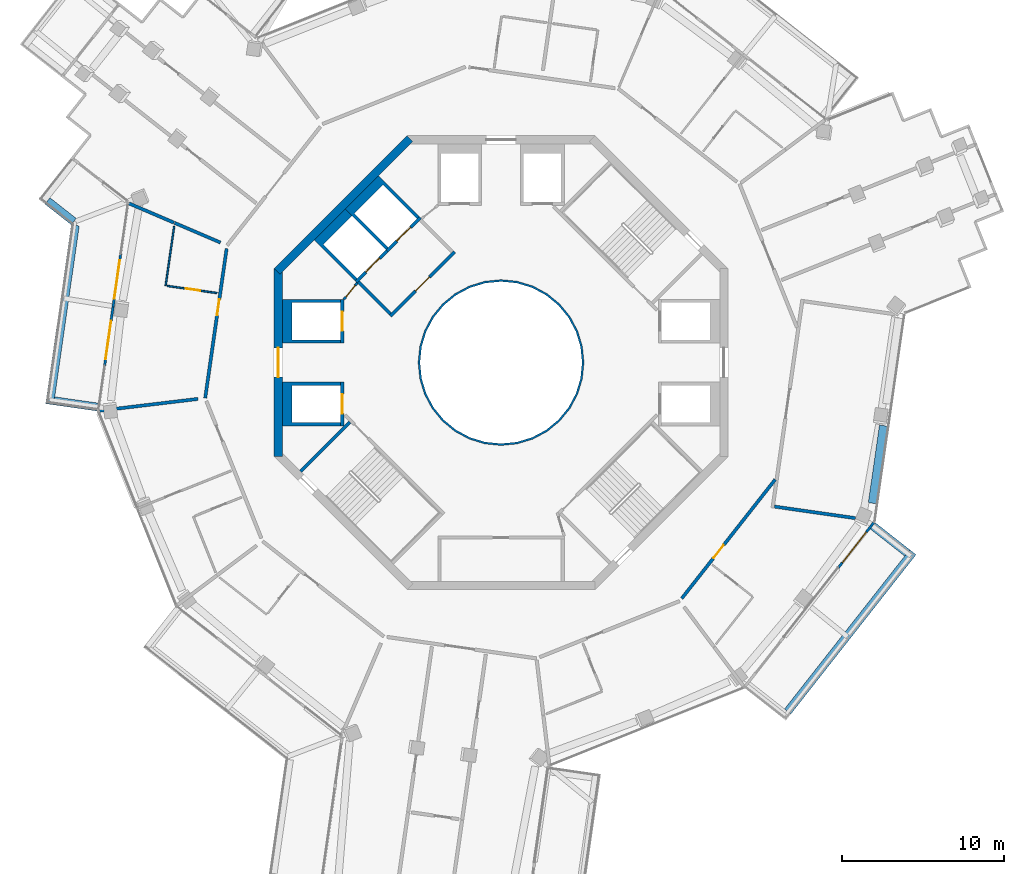
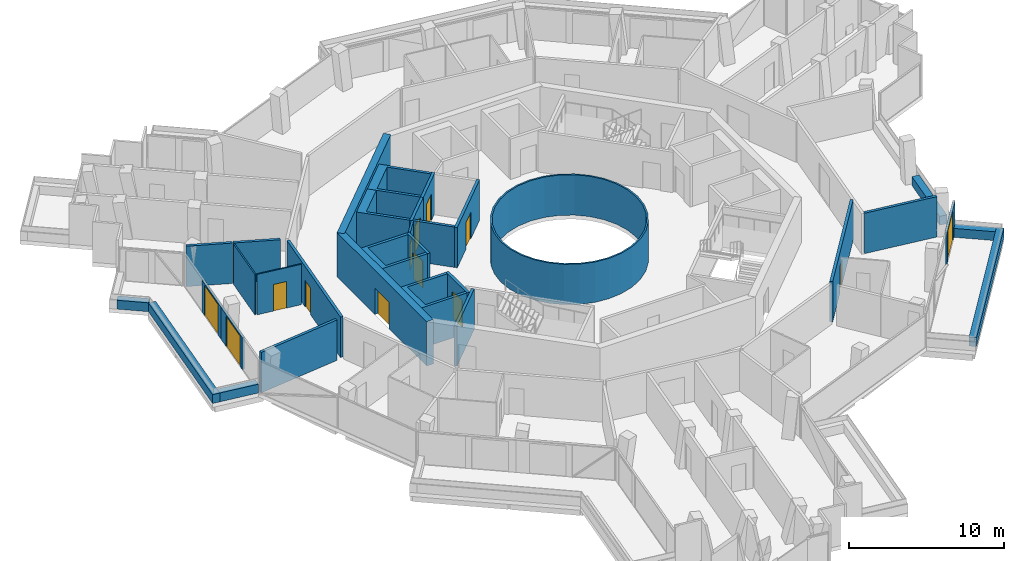
# One storey, part 17 of 23: 32 walls, 13 doors, 13 openings.
"""IFC4 building model written with IfcOpenShell, lengths in metres."""

from ifc_helpers import new_model, si_unit, direction, frame, frame_2d, origin, place, context, subcontext, project, spatial, polyline, rectangle, outline, extrude, material, layer, layer_set, type_object, element, fill, save


model = new_model("IFC4")

# Units and contexts
model_context = context("Model", 3, precision=1e-05, world=origin(), true_north=direction((0.0, 1.0)))
body_context = subcontext(model_context, "Body", "Model", "MODEL_VIEW")
ifc_project = project(units=[si_unit("LENGTHUNIT", "METRE"), si_unit("AREAUNIT", "SQUARE_METRE"), si_unit("VOLUMEUNIT", "CUBIC_METRE"), si_unit("PLANEANGLEUNIT", "RADIAN"), si_unit("MASSUNIT", "GRAM", prefix="KILO")], contexts=[model_context])

# Site, building, storey
site_placement = place(None, origin())
site = spatial("IfcSite", under=ifc_project, at=site_placement, CompositionType="ELEMENT")
building_placement = place(site_placement, origin())
building = spatial("IfcBuilding", under=site, at=building_placement, Name="Verdalira Terraces Hotel", CompositionType="ELEMENT")
storey_placement = place(building_placement, frame((0.0, 0.0, 244.5)))
storey = spatial("IfcBuildingStorey", under=building, at=storey_placement, Name="L60", CompositionType="ELEMENT", Elevation=244.5)

# Walls
ifc_material_1 = material(Name="Fire-resisting glass EI 180", Category="glass")
ifc_layer_1 = layer(ifc_material_1, 0.1201171875)
ifc_layer_set_1 = layer_set([ifc_layer_1], Name="Atrium fire screen 120 mm")
wall_type_1 = type_object("IfcWallType", Name="Atrium fire screen 120 mm", PredefinedType="SOLIDWALL", material=ifc_layer_set_1)
wall_1_placement = place(storey_placement, origin())
element("IfcWall", 1, at=wall_1_placement, inside=storey, type_object=wall_type_1, Name="Atrium fire screen", PredefinedType="SOLIDWALL", context=body_context, shape_type="SweptSolid", body=[
    extrude(outline(polyline([(5.021484, -0.998779), (4.730225, -1.959229), (4.25708, -2.844482), (3.620361, -3.620361), (2.844482, -4.25708), (1.959229, -4.730225), (0.998779, -5.021484), (0.0, -5.120117), (-0.998779, -5.021484), (-1.959229, -4.730225), (-2.844482, -4.25708), (-3.620361, -3.620361), (-4.25708, -2.844482), (-4.730225, -1.959229), (-5.021484, -0.998779), (-5.120117, 0.0), (-5.021484, 0.998779), (-4.730225, 1.959229), (-4.25708, 2.844482), (-3.620361, 3.620361), (-2.844482, 4.25708), (-1.959229, 4.730225), (-0.998779, 5.021484), (0.0, 5.120117), (0.998779, 5.021484), (1.959229, 4.730225), (2.844482, 4.25708), (3.620361, 3.620361), (4.25708, 2.844482), (4.730225, 1.959229), (5.021484, 0.998779), (5.120117, 0.0), (5.021484, -0.998779)]), holes=[polyline([(4.903809, 0.975586), (4.619385, 1.91333), (4.157227, 2.777832), (3.5354, 3.5354), (2.777832, 4.157227), (1.91333, 4.619385), (0.975586, 4.903809), (0.0, 5.0), (-0.975586, 4.903809), (-1.91333, 4.619385), (-2.777832, 4.157227), (-3.5354, 3.5354), (-4.157227, 2.777832), (-4.619385, 1.91333), (-4.903809, 0.975586), (-5.0, 0.0), (-4.903809, -0.975586), (-4.619385, -1.91333), (-4.157227, -2.777832), (-3.5354, -3.5354), (-2.777832, -4.157227), (-1.91333, -4.619385), (-0.975586, -4.903809), (0.0, -5.0), (0.975586, -4.903809), (1.91333, -4.619385), (2.777832, -4.157227), (3.5354, -3.5354), (4.157227, -2.777832), (4.619385, -1.91333), (4.903809, -0.975586), (5.0, 0.0), (4.903809, 0.975586)])]), origin(), (0.0, 0.0, 1.0), 3.189941),
])
ifc_material_2 = material(Name="Concrete C40", Category="concrete")
ifc_layer_2 = layer(ifc_material_2, 0.5)
ifc_layer_set_2 = layer_set([ifc_layer_2], Name="Balcony planter trough with tree")
wall_type_2 = type_object("IfcWallType", Name="Balcony planter trough with tree", PredefinedType="SOLIDWALL", material=ifc_layer_set_2)
wall_2_placement = place(storey_placement, frame((-27.987793, 9.974121, 0.0), z_axis=(0.0, 0.0, 1.0), x_axis=(0.786264959, -0.617889483, 0.0)))
element("IfcWall", 2, at=wall_2_placement, inside=storey, type_object=wall_type_2, Name="Balcony planter", PredefinedType="SOLIDWALL", context=body_context, shape_type="SweptSolid", body=[
    extrude(rectangle(XDim=2.063232, YDim=0.5, at=frame_2d((1.031738, 0.0))), origin(), (0.0, 0.0, 1.0), 0.699951),
])
wall_3_placement = place(storey_placement, frame((-26.272461, 8.467285, 0.0), z_axis=(0.0, 0.0, 1.0), x_axis=(-0.141942346, -0.989874927, 0.0)))
element("IfcWall", 3, at=wall_3_placement, inside=storey, type_object=wall_type_2, Name="Balcony planter", PredefinedType="SOLIDWALL", context=body_context, shape_type="SweptSolid", body=[
    extrude(rectangle(XDim=11.152588, YDim=0.5, at=frame_2d((5.576172, 0.0))), origin(), (0.0, 0.0, 1.0), 0.699951),
])
wall_4_placement = place(storey_placement, frame((-27.57251, -2.360352, 0.0), z_axis=(0.0, 0.0, 1.0), x_axis=(0.989876998, -0.1419279, 0.0)))
element("IfcWall", 4, at=wall_4_placement, inside=storey, type_object=wall_type_2, Name="Balcony planter", PredefinedType="SOLIDWALL", context=body_context, shape_type="SweptSolid", body=[
    extrude(rectangle(XDim=2.698975, YDim=0.5, at=frame_2d((1.349609, 0.0))), origin(), (0.0, 0.0, 1.0), 0.699951),
])
wall_5_placement = place(storey_placement, frame((17.686523, -21.528564, 0.0), z_axis=(0.0, 0.0, 1.0), x_axis=(0.61785433, 0.786292584, 0.0)))
element("IfcWall", 5, at=wall_5_placement, inside=storey, type_object=wall_type_2, Name="Balcony planter", PredefinedType="SOLIDWALL", context=body_context, shape_type="SweptSolid", body=[
    extrude(rectangle(XDim=12.5, YDim=0.5, at=frame_2d((6.25, 0.0))), origin(), (0.0, 0.0, 1.0), 0.699951),
])
wall_6_placement = place(storey_placement, frame((25.058594, -11.742188, 0.0), z_axis=(0.0, 0.0, 1.0), x_axis=(-0.786249279, 0.617909437, 0.0)))
element("IfcWall", 6, at=wall_6_placement, inside=storey, type_object=wall_type_2, Name="Balcony planter", PredefinedType="SOLIDWALL", context=body_context, shape_type="SweptSolid", body=[
    extrude(rectangle(XDim=2.698975, YDim=0.5, at=frame_2d((1.349609, 0.0))), origin(), (0.0, 0.0, 1.0), 0.699951),
])
ifc_material_3 = material(Name="Moisture-resistant gypsum board partition")
ifc_layer_3 = layer(ifc_material_3, 0.10009765625)
ifc_layer_set_3 = layer_set([ifc_layer_3], Name="Bathroom partition 100 mm")
wall_type_3 = type_object("IfcWallType", Name="Bathroom partition 100 mm", PredefinedType="PARTITIONING", material=ifc_layer_set_3)
wall_7_placement = place(storey_placement, frame((-20.69458, 4.743652, 0.0), z_axis=(0.0, 0.0, 1.0), x_axis=(0.141974997, 0.989870244, 0.0)))
element("IfcWall", 7, at=wall_7_placement, inside=storey, type_object=wall_type_3, Name="Bathroom partition", PredefinedType="PARTITIONING", context=body_context, shape_type="SweptSolid", body=[
    extrude(rectangle(XDim=3.704102, YDim=0.100098, at=frame_2d((1.852051, 0.0))), origin(), (0.0, 0.0, 1.0), 3.189941),
])

# Wall, opening, door
wall_8_placement = place(storey_placement, frame((-20.595703, 4.729492, 0.0), z_axis=(0.0, 0.0, 1.0), x_axis=(0.989880075, -0.141906436, 0.0)))
wall_8 = element("IfcWall", 8, at=wall_8_placement, inside=storey, type_object=wall_type_3, Name="Bathroom partition", PredefinedType="PARTITIONING", context=body_context, shape_type="SweptSolid", body=[
    extrude(rectangle(XDim=3.100342, YDim=0.100098, at=frame_2d((1.550293, 0.0))), origin(), (0.0, 0.0, 1.0), 3.189941),
])
opening_1_placement = place(wall_8_placement, frame((1.149902, 0.0, 0.0)))
opening_1 = element("IfcOpeningElement", 9, at=opening_1_placement, cuts=wall_8, Name="Opening L60-105", PredefinedType="OPENING", context=body_context, shape_type="SweptSolid", body=[
    extrude(rectangle(XDim=0.899902, YDim=2.100098, at=frame_2d((0.449951, 1.050049))), frame((0.0, 0.060059, 0.0), z_axis=(0.0, -1.0, 0.0), x_axis=(1.0, 0.0, 0.0)), (0.0, 0.0, 1.0), 0.120117),
])
ifc_material_4 = material(Name="Timber door", Category="wood")
door_type_1 = type_object("IfcDoorType", Name="Bathroom door 900 x 2100", OperationType="NOTDEFINED", PredefinedType="DOOR", material=ifc_material_4)
door_1_placement = place(opening_1_placement, origin())
door_1 = element("IfcDoor", 10, at=door_1_placement, inside=storey, type_object=door_type_1, Name="Bathroom door 6002", OperationType="SINGLE_SWING_LEFT", OverallHeight=2.10009765625, OverallWidth=0.89990234375, PredefinedType="DOOR", context=body_context, shape_type="SweptSolid", body=[
    extrude(rectangle(XDim=0.899902, YDim=2.100098, at=frame_2d((0.449951, 1.050049))), frame((0.0, 0.024902, 0.0), z_axis=(0.0, -1.0, 0.0), x_axis=(1.0, 0.0, 0.0)), (0.0, 0.0, 1.0), 0.050049),
])
fill(opening_1, door_1)

# Wall
ifc_material_5 = material(Name="Concrete C50", Category="concrete")
ifc_layer_4 = layer(ifc_material_5, 0.199951171875)
ifc_layer_set_4 = layer_set([ifc_layer_4], Name="Core RC wall 200 C50")
wall_type_4 = type_object("IfcWallType", Name="Core RC wall 200 C50", PredefinedType="SOLIDWALL", material=ifc_layer_set_4)
wall_9_placement = place(storey_placement, origin())
element("IfcWall", 11, at=wall_9_placement, inside=storey, type_object=wall_type_4, Name="L60 shaft wall W1", PredefinedType="SOLIDWALL", context=body_context, shape_type="SweptSolid", body=[
    extrude(outline(polyline([(-13.5, 3.899902), (-9.899902, 3.899902), (-9.899902, 3.699951), (-12.899902, 3.699951), (-12.899902, 1.399902), (-9.899902, 1.399902), (-9.899902, 1.199951), (-13.5, 1.199951), (-13.5, 3.899902)])), origin(), (0.0, 0.0, 1.0), 3.189941),
])

# Wall, opening, door
wall_10_placement = place(storey_placement, frame((-9.800049, 1.199951, 0.0), z_axis=(0.0, 0.0, 1.0), x_axis=(0.0, 1.0, 0.0)))
wall_10 = element("IfcWall", 12, at=wall_10_placement, inside=storey, type_object=wall_type_4, Name="L60 shaft front wall W1", PredefinedType="SOLIDWALL", context=body_context, shape_type="SweptSolid", body=[
    extrude(rectangle(XDim=2.699951, YDim=0.199951, at=frame_2d((1.350098, 0.0))), origin(), (0.0, 0.0, 1.0), 3.189941),
])
opening_2_placement = place(wall_10_placement, frame((0.75, 0.0, 0.0)))
opening_2 = element("IfcOpeningElement", 13, at=opening_2_placement, cuts=wall_10, Name="Opening LD-L60-806", PredefinedType="OPENING", context=body_context, shape_type="SweptSolid", body=[
    extrude(rectangle(XDim=1.199951, YDim=2.100098, at=frame_2d((0.600098, 1.050049))), frame((0.0, 0.109863, 0.0), z_axis=(0.0, -1.0, 0.0), x_axis=(1.0, 0.0, 0.0)), (0.0, 0.0, 1.0), 0.219971),
])
ifc_material_6 = material(Name="Stainless steel", Category="steel")
door_type_2 = type_object("IfcDoorType", Name="Landing door 1200 x 2100", OperationType="NOTDEFINED", PredefinedType="DOOR", material=ifc_material_6)
door_2_placement = place(opening_2_placement, origin())
door_2 = element("IfcDoor", 14, at=door_2_placement, inside=storey, type_object=door_type_2, Name="Lift landing door HR5 L60", OperationType="DOUBLE_DOOR_SLIDING", OverallHeight=2.10009765625, OverallWidth=1.199951171875, PredefinedType="DOOR", context=body_context, shape_type="SweptSolid", body=[
    extrude(rectangle(XDim=1.199951, YDim=2.100098, at=frame_2d((0.600098, 1.050049))), frame((0.0, 0.024902, 0.0), z_axis=(0.0, -1.0, 0.0), x_axis=(1.0, 0.0, 0.0)), (0.0, 0.0, 1.0), 0.050049),
])
fill(opening_2, door_2)

# Wall
wall_11_placement = place(storey_placement, origin())
element("IfcWall", 15, at=wall_11_placement, inside=storey, type_object=wall_type_4, Name="L60 shaft wall W2", PredefinedType="SOLIDWALL", context=body_context, shape_type="SweptSolid", body=[
    extrude(outline(polyline([(-13.5, -3.899902), (-13.5, -1.199951), (-9.899902, -1.199951), (-9.899902, -1.399902), (-12.899902, -1.399902), (-12.899902, -3.699951), (-9.899902, -3.699951), (-9.899902, -3.899902), (-13.5, -3.899902)])), origin(), (0.0, 0.0, 1.0), 3.189941),
])

# Wall, opening, door
wall_12_placement = place(storey_placement, frame((-9.800049, -1.199951, 0.0), z_axis=(0.0, 0.0, 1.0), x_axis=(0.0, -1.0, 0.0)))
wall_12 = element("IfcWall", 16, at=wall_12_placement, inside=storey, type_object=wall_type_4, Name="L60 shaft front wall W2", PredefinedType="SOLIDWALL", context=body_context, shape_type="SweptSolid", body=[
    extrude(rectangle(XDim=2.699951, YDim=0.199951, at=frame_2d((1.350098, 0.0))), origin(), (0.0, 0.0, 1.0), 3.189941),
])
opening_3_placement = place(wall_12_placement, frame((0.75, 0.0, 0.0)))
opening_3 = element("IfcOpeningElement", 17, at=opening_3_placement, cuts=wall_12, Name="Opening LD-L60-807", PredefinedType="OPENING", context=body_context, shape_type="SweptSolid", body=[
    extrude(rectangle(XDim=1.199951, YDim=2.100098, at=frame_2d((0.600098, 1.050049))), frame((0.0, 0.109863, 0.0), z_axis=(0.0, -1.0, 0.0), x_axis=(1.0, 0.0, 0.0)), (0.0, 0.0, 1.0), 0.219971),
])
door_3_placement = place(opening_3_placement, origin())
door_3 = element("IfcDoor", 18, at=door_3_placement, inside=storey, type_object=door_type_2, Name="Lift landing door HR6 L60", OperationType="DOUBLE_DOOR_SLIDING", OverallHeight=2.10009765625, OverallWidth=1.199951171875, PredefinedType="DOOR", context=body_context, shape_type="SweptSolid", body=[
    extrude(rectangle(XDim=1.199951, YDim=2.100098, at=frame_2d((0.600098, 1.050049))), frame((0.0, 0.024902, 0.0), z_axis=(0.0, -1.0, 0.0), x_axis=(1.0, 0.0, 0.0)), (0.0, 0.0, 1.0), 0.050049),
])
fill(opening_3, door_3)

# Wall
wall_13_placement = place(storey_placement, origin())
element("IfcWall", 19, at=wall_13_placement, inside=storey, type_object=wall_type_4, Name="L60 shaft wall F1", PredefinedType="SOLIDWALL", context=body_context, shape_type="SweptSolid", body=[
    extrude(outline(polyline([(-9.616699, 9.475098), (-7.565918, 11.525879), (-5.055908, 9.015625), (-5.197266, 8.874268), (-7.283203, 10.960205), (-9.051025, 9.192383), (-6.965088, 7.106445), (-7.106445, 6.965088), (-9.616699, 9.475098)])), origin(), (0.0, 0.0, 1.0), 3.189941),
])

# Wall, opening, door
wall_14_placement = place(storey_placement, frame((-4.985107, 8.944824, 0.0), z_axis=(0.0, 0.0, 1.0), x_axis=(-0.707106781, -0.707106781, 0.0)))
wall_14 = element("IfcWall", 20, at=wall_14_placement, inside=storey, type_object=wall_type_4, Name="L60 shaft front wall F1", PredefinedType="SOLIDWALL", context=body_context, shape_type="SweptSolid", body=[
    extrude(rectangle(XDim=2.899902, YDim=0.199951, at=frame_2d((1.449951, 0.0))), origin(), (0.0, 0.0, 1.0), 3.189941),
])
opening_4_placement = place(wall_14_placement, frame((0.850098, 0.0, 0.0)))
opening_4 = element("IfcOpeningElement", 21, at=opening_4_placement, cuts=wall_14, Name="Opening LD-L60-808", PredefinedType="OPENING", context=body_context, shape_type="SweptSolid", body=[
    extrude(rectangle(XDim=1.199951, YDim=2.100098, at=frame_2d((0.600098, 1.050049))), frame((0.0, 0.109863, 0.0), z_axis=(0.0, -1.0, 0.0), x_axis=(1.0, 0.0, 0.0)), (0.0, 0.0, 1.0), 0.219971),
])
door_4_placement = place(opening_4_placement, origin())
door_4 = element("IfcDoor", 22, at=door_4_placement, inside=storey, type_object=door_type_2, Name="Lift landing door LF11 L60", OperationType="DOUBLE_DOOR_SLIDING", OverallHeight=2.10009765625, OverallWidth=1.199951171875, PredefinedType="DOOR", context=body_context, shape_type="SweptSolid", body=[
    extrude(rectangle(XDim=1.199951, YDim=2.100098, at=frame_2d((0.600098, 1.050049))), frame((0.0, 0.024902, 0.0), z_axis=(0.0, -1.0, 0.0), x_axis=(1.0, 0.0, 0.0)), (0.0, 0.0, 1.0), 0.050049),
])
fill(opening_4, door_4)

# Wall
wall_15_placement = place(storey_placement, origin())
element("IfcWall", 23, at=wall_15_placement, inside=storey, type_object=wall_type_4, Name="L60 shaft wall F2", PredefinedType="SOLIDWALL", context=body_context, shape_type="SweptSolid", body=[
    extrude(outline(polyline([(-11.525879, 7.565918), (-9.616699, 9.475098), (-9.192383, 9.051025), (-10.960205, 7.283203), (-8.874268, 5.197266), (-9.015625, 5.055908), (-11.525879, 7.565918)])), origin(), (0.0, 0.0, 1.0), 3.189941),
])

# Wall, opening, door
wall_16_placement = place(storey_placement, frame((-7.035645, 6.894287, 0.0), z_axis=(0.0, 0.0, 1.0), x_axis=(-0.707106781, -0.707106781, 0.0)))
wall_16 = element("IfcWall", 24, at=wall_16_placement, inside=storey, type_object=wall_type_4, Name="L60 shaft front wall F2", PredefinedType="SOLIDWALL", context=body_context, shape_type="SweptSolid", body=[
    extrude(rectangle(XDim=2.699951, YDim=0.199951, at=frame_2d((1.350098, 0.0))), origin(), (0.0, 0.0, 1.0), 3.189941),
])
opening_5_placement = place(wall_16_placement, frame((0.649902, 0.0, 0.0)))
opening_5 = element("IfcOpeningElement", 25, at=opening_5_placement, cuts=wall_16, Name="Opening LD-L60-809", PredefinedType="OPENING", context=body_context, shape_type="SweptSolid", body=[
    extrude(rectangle(XDim=1.199951, YDim=2.100098, at=frame_2d((0.600098, 1.050049))), frame((0.0, 0.109863, 0.0), z_axis=(0.0, -1.0, 0.0), x_axis=(1.0, 0.0, 0.0)), (0.0, 0.0, 1.0), 0.219971),
])
door_5_placement = place(opening_5_placement, origin())
door_5 = element("IfcDoor", 26, at=door_5_placement, inside=storey, type_object=door_type_2, Name="Lift landing door LF12 L60", OperationType="DOUBLE_DOOR_SLIDING", OverallHeight=2.10009765625, OverallWidth=1.199951171875, PredefinedType="DOOR", context=body_context, shape_type="SweptSolid", body=[
    extrude(rectangle(XDim=1.199951, YDim=2.100098, at=frame_2d((0.600098, 1.050049))), frame((0.0, 0.024902, 0.0), z_axis=(0.0, -1.0, 0.0), x_axis=(1.0, 0.0, 0.0)), (0.0, 0.0, 1.0), 0.050049),
])
fill(opening_5, door_5)

# Wall
wall_17_placement = place(storey_placement, frame((-9.33374, -3.677002, 0.0), z_axis=(0.0, 0.0, 1.0), x_axis=(-0.707135168, -0.707078393, 0.0)))
element("IfcWall", 27, at=wall_17_placement, inside=storey, type_object=wall_type_4, Name="L60 stair ST2 end wall 1", PredefinedType="SOLIDWALL", context=body_context, shape_type="SweptSolid", body=[
    extrude(rectangle(XDim=4.300049, YDim=0.199951, at=frame_2d((2.149902, 0.0))), origin(), (0.0, 0.0, 1.0), 3.189941),
])

# Wall, opening, door
wall_18_placement = place(storey_placement, frame((-2.86377, 6.823486, 0.0), z_axis=(0.0, 0.0, 1.0), x_axis=(-0.707106781, -0.707106781, 0.0)))
wall_18 = element("IfcWall", 28, at=wall_18_placement, inside=storey, type_object=wall_type_4, Name="L60 fire lobby wall", PredefinedType="SOLIDWALL", context=body_context, shape_type="SweptSolid", body=[
    extrude(rectangle(XDim=5.599854, YDim=0.199951, at=frame_2d((2.799805, 0.0))), origin(), (0.0, 0.0, 1.0), 3.189941),
])
opening_6_placement = place(wall_18_placement, frame((2.199951, 0.0, 0.0)))
opening_6 = element("IfcOpeningElement", 29, at=opening_6_placement, cuts=wall_18, Name="Opening L60-819", PredefinedType="OPENING", context=body_context, shape_type="SweptSolid", body=[
    extrude(rectangle(XDim=1.199951, YDim=2.100098, at=frame_2d((0.600098, 1.050049))), frame((0.0, 0.109863, 0.0), z_axis=(0.0, -1.0, 0.0), x_axis=(1.0, 0.0, 0.0)), (0.0, 0.0, 1.0), 0.219971),
])
ifc_material_7 = material(Name="Steel fire door", Category="steel")
door_type_3 = type_object("IfcDoorType", Name="Lobby door 1200 x 2100", OperationType="NOTDEFINED", PredefinedType="DOOR", material=ifc_material_7)
door_6_placement = place(opening_6_placement, origin())
door_6 = element("IfcDoor", 30, at=door_6_placement, inside=storey, type_object=door_type_3, Name="Fire lobby door L60", OperationType="SINGLE_SWING_LEFT", OverallHeight=2.10009765625, OverallWidth=1.199951171875, PredefinedType="DOOR", context=body_context, shape_type="SweptSolid", body=[
    extrude(rectangle(XDim=1.199951, YDim=2.100098, at=frame_2d((0.600098, 1.050049))), frame((0.0, 0.024902, 0.0), z_axis=(0.0, -1.0, 0.0), x_axis=(1.0, 0.0, 0.0)), (0.0, 0.0, 1.0), 0.050049),
])
fill(opening_6, door_6)

# Wall
wall_19_placement = place(storey_placement, frame((-6.823486, 3.005127, 0.0), z_axis=(0.0, 0.0, 1.0), x_axis=(-0.707106781, 0.707106781, 0.0)))
element("IfcWall", 31, at=wall_19_placement, inside=storey, type_object=wall_type_4, Name="L60 fire lobby wall", PredefinedType="SOLIDWALL", context=body_context, shape_type="SweptSolid", body=[
    extrude(rectangle(XDim=2.800049, YDim=0.199951, at=frame_2d((1.399902, 0.0))), origin(), (0.0, 0.0, 1.0), 3.189941),
])

# Wall, opening, door
ifc_material_8 = material(Name="Gypsum board partition")
ifc_layer_5 = layer(ifc_material_8, 0.14990234375)
ifc_layer_set_5 = layer_set([ifc_layer_5], Name="Core partition 150 mm")
wall_type_5 = type_object("IfcWallType", Name="Core partition 150 mm", PredefinedType="PARTITIONING", material=ifc_layer_set_5)
wall_20_placement = place(storey_placement, frame((-8.874268, 4.914307, 0.0), z_axis=(0.0, 0.0, 1.0), x_axis=(-0.631274009, -0.775559878, 0.0)))
wall_20 = element("IfcWall", 32, at=wall_20_placement, inside=storey, type_object=wall_type_5, Name="Room partition L60", PredefinedType="PARTITIONING", context=body_context, shape_type="SweptSolid", body=[
    extrude(rectangle(XDim=1.307861, YDim=0.149902, at=frame_2d((0.653809, 0.0))), origin(), (0.0, 0.0, 1.0), 3.189941),
])
opening_7_placement = place(wall_20_placement, frame((0.204102, 0.0, 0.0)))
opening_7 = element("IfcOpeningElement", 33, at=opening_7_placement, cuts=wall_20, Name="Opening L60-821", PredefinedType="OPENING", context=body_context, shape_type="SweptSolid", body=[
    extrude(rectangle(XDim=0.899902, YDim=2.100098, at=frame_2d((0.449951, 1.050049))), frame((0.0, 0.084961, 0.0), z_axis=(0.0, -1.0, 0.0), x_axis=(1.0, 0.0, 0.0)), (0.0, 0.0, 1.0), 0.169922),
])
ifc_material_9 = material(Name="Steel fire door", Category="steel")
door_type_4 = type_object("IfcDoorType", Name="Core room door 900 x 2100", OperationType="NOTDEFINED", PredefinedType="DOOR", material=ifc_material_9)
door_7_placement = place(opening_7_placement, origin())
door_7 = element("IfcDoor", 34, at=door_7_placement, inside=storey, type_object=door_type_4, Name="Door L60 room3", OperationType="SINGLE_SWING_LEFT", OverallHeight=2.10009765625, OverallWidth=0.89990234375, PredefinedType="DOOR", context=body_context, shape_type="SweptSolid", body=[
    extrude(rectangle(XDim=0.899902, YDim=2.100098, at=frame_2d((0.449951, 1.050049))), frame((0.0, 0.024902, 0.0), z_axis=(0.0, -1.0, 0.0), x_axis=(1.0, 0.0, 0.0)), (0.0, 0.0, 1.0), 0.050049),
])
fill(opening_7, door_7)

# Wall
ifc_material_10 = material(Name="Concrete C50", Category="concrete")
ifc_layer_6 = layer(ifc_material_10, 0.5)
ifc_layer_set_6 = layer_set([ifc_layer_6], Name="Core wall 500 C50")
wall_type_6 = type_object("IfcWallType", Name="Core wall 500 C50", PredefinedType="SHEAR", material=ifc_layer_set_6)
wall_21_placement = place(storey_placement, frame((-5.622314, 13.823242, 0.0), z_axis=(0.0, 0.0, 1.0), x_axis=(-0.707106781, -0.707106781, 0.0)))
element("IfcWall", 35, at=wall_21_placement, inside=storey, type_object=wall_type_6, Name="Core wall CW-L60-4", PredefinedType="SHEAR", context=body_context, shape_type="SweptSolid", body=[
    extrude(rectangle(XDim=11.5979, YDim=0.5, at=frame_2d((5.798828, 0.0))), origin(), (0.0, 0.0, 1.0), 3.5),
])

# Wall, opening, door
wall_22_placement = place(storey_placement, frame((-13.75, 5.799072, 0.0), z_axis=(0.0, 0.0, 1.0), x_axis=(0.0, -1.0, 0.0)))
wall_22 = element("IfcWall", 36, at=wall_22_placement, inside=storey, type_object=wall_type_6, Name="Core wall CW-L60-5", PredefinedType="SHEAR", context=body_context, shape_type="SweptSolid", body=[
    extrude(rectangle(XDim=11.598145, YDim=0.5, at=frame_2d((5.799072, 0.0))), origin(), (0.0, 0.0, 1.0), 3.5),
])
opening_8_placement = place(wall_22_placement, frame((4.898926, 0.0, 0.0)))
opening_8 = element("IfcOpeningElement", 37, at=opening_8_placement, cuts=wall_22, Name="Opening L60-815", PredefinedType="OPENING", context=body_context, shape_type="SweptSolid", body=[
    extrude(rectangle(XDim=1.800049, YDim=2.100098, at=frame_2d((0.899902, 1.050049))), frame((0.0, 0.26001, 0.0), z_axis=(0.0, -1.0, 0.0), x_axis=(1.0, 0.0, 0.0)), (0.0, 0.0, 1.0), 0.52002),
])
ifc_material_11 = material(Name="Steel fire door", Category="steel")
door_type_5 = type_object("IfcDoorType", Name="Core entry door pair 1800 x 2100", OperationType="NOTDEFINED", PredefinedType="DOOR", material=ifc_material_11)
door_8_placement = place(opening_8_placement, origin())
door_8 = element("IfcDoor", 38, at=door_8_placement, inside=storey, type_object=door_type_5, Name="Core entry door L60 4", OperationType="DOUBLE_DOOR_SINGLE_SWING", OverallHeight=2.10009765625, OverallWidth=1.800048828125, PredefinedType="DOOR", context=body_context, shape_type="SweptSolid", body=[
    extrude(rectangle(XDim=1.800049, YDim=2.100098, at=frame_2d((0.899902, 1.050049))), frame((0.0, 0.024902, 0.0), z_axis=(0.0, -1.0, 0.0), x_axis=(1.0, 0.0, 0.0)), (0.0, 0.0, 1.0), 0.050049),
])
fill(opening_8, door_8)

# Walls
ifc_material_12 = material(Name="Fire-rated gypsum board wall")
ifc_layer_7 = layer(ifc_material_12, 0.199951171875)
ifc_layer_set_7 = layer_set([ifc_layer_7], Name="Demising wall 200 mm")
wall_type_7 = type_object("IfcWallType", Name="Demising wall 200 mm", PredefinedType="SOLIDWALL", material=ifc_layer_set_7)
wall_23_placement = place(storey_placement, frame((-18.697998, -2.24292, 0.0), z_axis=(0.0, 0.0, 1.0), x_axis=(-0.992884184, -0.119083992, 0.0)))
element("IfcWall", 39, at=wall_23_placement, inside=storey, type_object=wall_type_7, Name="Demising wall", PredefinedType="SOLIDWALL", context=body_context, shape_type="SweptSolid", body=[
    extrude(rectangle(XDim=6.13208, YDim=0.199951, at=frame_2d((3.065918, 0.0))), origin(), (0.0, 0.0, 1.0), 3.189941),
])
wall_24_placement = place(storey_placement, frame((-20.183594, 8.634033, 0.0), z_axis=(0.0, 0.0, 1.0), x_axis=(-0.919409021, 0.393302748, 0.0)))
element("IfcWall", 40, at=wall_24_placement, inside=storey, type_object=wall_type_7, Name="Demising wall", PredefinedType="SOLIDWALL", context=body_context, shape_type="SweptSolid", body=[
    extrude(rectangle(XDim=3.01123, YDim=0.199951, at=frame_2d((1.505615, 0.0))), origin(), (0.0, 0.0, 1.0), 3.189941),
])
wall_25_placement = place(storey_placement, frame((-17.314209, 7.406494, 0.0), z_axis=(0.0, 0.0, 1.0), x_axis=(-0.919399451, 0.393325119, 0.0)))
element("IfcWall", 41, at=wall_25_placement, inside=storey, type_object=wall_type_7, Name="Demising wall", PredefinedType="SOLIDWALL", context=body_context, shape_type="SweptSolid", body=[
    extrude(rectangle(XDim=3.074951, YDim=0.199951, at=frame_2d((1.537598, 0.0))), origin(), (0.0, 0.0, 1.0), 3.189941),
])

# Wall, opening, door
ifc_material_13 = material(Name="Fire-rated gypsum board wall")
ifc_layer_8 = layer(ifc_material_13, 0.199951171875)
ifc_layer_set_8 = layer_set([ifc_layer_8], Name="Guest corridor wall 200 mm")
wall_type_8 = type_object("IfcWallType", Name="Guest corridor wall 200 mm", PredefinedType="SOLIDWALL", material=ifc_layer_set_8)
wall_26_placement = place(storey_placement, frame((-18.253906, -2.189453, 0.0), z_axis=(0.0, 0.0, 1.0), x_axis=(0.1419533, 0.989873356, 0.0)))
wall_26 = element("IfcWall", 42, at=wall_26_placement, inside=storey, type_object=wall_type_8, Name="Guest corridor wall", PredefinedType="SOLIDWALL", context=body_context, shape_type="SweptSolid", body=[
    extrude(rectangle(XDim=9.316406, YDim=0.199951, at=frame_2d((4.658203, 0.0))), origin(), (0.0, 0.0, 1.0), 3.189941),
])
opening_9_placement = place(wall_26_placement, frame((5.149902, 0.0, 0.0)))
opening_9 = element("IfcOpeningElement", 43, at=opening_9_placement, cuts=wall_26, Name="Opening L60-104", PredefinedType="OPENING", context=body_context, shape_type="SweptSolid", body=[
    extrude(rectangle(XDim=1.0, YDim=2.100098, at=frame_2d((0.5, 1.050049))), frame((0.0, 0.109863, 0.0), z_axis=(0.0, -1.0, 0.0), x_axis=(1.0, 0.0, 0.0)), (0.0, 0.0, 1.0), 0.219971),
])
ifc_material_14 = material(Name="Timber fire door", Category="wood")
door_type_6 = type_object("IfcDoorType", Name="Guest entry door 1000 x 2100", OperationType="NOTDEFINED", PredefinedType="DOOR", material=ifc_material_14)
door_9_placement = place(opening_9_placement, origin())
door_9 = element("IfcDoor", 44, at=door_9_placement, inside=storey, type_object=door_type_6, Name="Guest entry door 6002", OperationType="SINGLE_SWING_LEFT", OverallHeight=2.10009765625, OverallWidth=1.0, PredefinedType="DOOR", context=body_context, shape_type="SweptSolid", body=[
    extrude(rectangle(XDim=1.0, YDim=2.100098, at=frame_2d((0.5, 1.050049))), frame((0.0, 0.024902, 0.0), z_axis=(0.0, -1.0, 0.0), x_axis=(1.0, 0.0, 0.0)), (0.0, 0.0, 1.0), 0.050049),
])
fill(opening_9, door_9)

wall_27_placement = place(storey_placement, frame((16.915527, -7.215088, 0.0), z_axis=(0.0, 0.0, 1.0), x_axis=(-0.617863125, -0.786285673, 0.0)))
wall_27 = element("IfcWall", 45, at=wall_27_placement, inside=storey, type_object=wall_type_8, Name="Guest corridor wall", PredefinedType="SOLIDWALL", context=body_context, shape_type="SweptSolid", body=[
    extrude(rectangle(XDim=9.33667, YDim=0.199951, at=frame_2d((4.668457, 0.0))), origin(), (0.0, 0.0, 1.0), 3.189941),
])
opening_10_placement = place(wall_27_placement, frame((5.149902, 0.0, 0.0)))
opening_10 = element("IfcOpeningElement", 46, at=opening_10_placement, cuts=wall_27, Name="Opening L60-117", PredefinedType="OPENING", context=body_context, shape_type="SweptSolid", body=[
    extrude(rectangle(XDim=1.0, YDim=2.100098, at=frame_2d((0.5, 1.050049))), frame((0.0, 0.109863, 0.0), z_axis=(0.0, -1.0, 0.0), x_axis=(1.0, 0.0, 0.0)), (0.0, 0.0, 1.0), 0.219971),
])
door_10_placement = place(opening_10_placement, origin())
door_10 = element("IfcDoor", 47, at=door_10_placement, inside=storey, type_object=door_type_6, Name="Guest entry door 6007", OperationType="SINGLE_SWING_LEFT", OverallHeight=2.10009765625, OverallWidth=1.0, PredefinedType="DOOR", context=body_context, shape_type="SweptSolid", body=[
    extrude(rectangle(XDim=1.0, YDim=2.100098, at=frame_2d((0.5, 1.050049))), frame((0.0, 0.024902, 0.0), z_axis=(0.0, -1.0, 0.0), x_axis=(1.0, 0.0, 0.0)), (0.0, 0.0, 1.0), 0.050049),
])
fill(opening_10, door_10)

# Walls
ifc_material_15 = material(Name="Terracotta cladding", Category="masonry")
ifc_layer_9 = layer(ifc_material_15, 0.199951171875)
ifc_layer_set_9 = layer_set([ifc_layer_9], Name="Loggia back wall 200")
wall_type_9 = type_object("IfcWallType", Name="Loggia back wall 200", PredefinedType="SOLIDWALL", material=ifc_layer_set_9)
wall_28_placement = place(storey_placement, frame((21.870605, -9.601562, 0.0), z_axis=(0.0, 0.0, 1.0), x_axis=(-0.989875929, 0.141935358, 0.0)))
element("IfcWall", 48, at=wall_28_placement, inside=storey, type_object=wall_type_9, Name="Loggia side wall", PredefinedType="SOLIDWALL", context=body_context, shape_type="SweptSolid", body=[
    extrude(rectangle(XDim=5.053711, YDim=0.199951, at=frame_2d((2.526855, 0.0))), origin(), (0.0, 0.0, 1.0), 3.189941),
])
ifc_material_16 = material(Name="Concrete C40", Category="concrete")
ifc_layer_10 = layer(ifc_material_16, 0.5)
ifc_layer_set_10 = layer_set([ifc_layer_10], Name="Loggia planter trough with tree")
wall_type_10 = type_object("IfcWallType", Name="Loggia planter trough with tree", PredefinedType="SOLIDWALL", material=ifc_layer_set_10)
wall_29_placement = place(storey_placement, frame((22.908691, -8.67627, 0.0), z_axis=(0.0, 0.0, 1.0), x_axis=(0.141937197, 0.989875665, 0.0)))
element("IfcWall", 49, at=wall_29_placement, inside=storey, type_object=wall_type_10, Name="Loggia planter", PredefinedType="SOLIDWALL", context=body_context, shape_type="SweptSolid", body=[
    extrude(rectangle(XDim=4.836914, YDim=0.5, at=frame_2d((2.418457, 0.0))), origin(), (0.0, 0.0, 1.0), 0.699951),
])

# Wall, opening, door
ifc_material_17 = material(Name="Terracotta cladding", Category="masonry")
ifc_layer_11 = layer(ifc_material_17, 0.14990234375)
ifc_layer_set_11 = layer_set([ifc_layer_11], Name="Terracotta door pier 150")
wall_type_11 = type_object("IfcWallType", Name="Terracotta door pier 150", PredefinedType="SOLIDWALL", material=ifc_layer_set_11)
wall_30_placement = place(storey_placement, frame((-23.469971, 6.699219, 0.0), z_axis=(0.0, 0.0, 1.0), x_axis=(-0.141970276, -0.989870921, 0.0)))
wall_30 = element("IfcWall", 50, at=wall_30_placement, inside=storey, type_object=wall_type_11, Name="Terracotta door pier", PredefinedType="SOLIDWALL", context=body_context, shape_type="SweptSolid", body=[
    extrude(rectangle(XDim=3.300049, YDim=0.149902, at=frame_2d((1.649902, 0.0))), origin(), (0.0, 0.0, 1.0), 2.524902),
])
opening_11_placement = place(wall_30_placement, frame((0.399902, 0.0, 0.0)))
opening_11 = element("IfcOpeningElement", 51, at=opening_11_placement, cuts=wall_30, Name="Opening L60-B04", PredefinedType="OPENING", context=body_context, shape_type="SweptSolid", body=[
    extrude(rectangle(XDim=2.399902, YDim=2.399902, at=frame_2d((1.199951, 1.199951))), frame((0.0, 0.084961, 0.0), z_axis=(0.0, -1.0, 0.0), x_axis=(1.0, 0.0, 0.0)), (0.0, 0.0, 1.0), 0.169922),
])
ifc_material_18 = material(Name="Clear glass", Category="glass")
door_type_7 = type_object("IfcDoorType", Name="Balcony sliding door 2400x2400", OperationType="NOTDEFINED", PredefinedType="DOOR", material=ifc_material_18)
door_11_placement = place(opening_11_placement, origin())
door_11 = element("IfcDoor", 52, at=door_11_placement, inside=storey, type_object=door_type_7, Name="Balcony sliding door", OperationType="SLIDING_TO_RIGHT", OverallHeight=2.39990234375, OverallWidth=2.39990234375, PredefinedType="DOOR", context=body_context, shape_type="SweptSolid", body=[
    extrude(rectangle(XDim=2.399902, YDim=2.399902, at=frame_2d((1.199951, 1.199951))), frame((0.0, 0.024902, 0.0), z_axis=(0.0, -1.0, 0.0), x_axis=(1.0, 0.0, 0.0)), (0.0, 0.0, 1.0), 0.050049),
])
fill(opening_11, door_11)

wall_31_placement = place(storey_placement, frame((-23.938477, 3.432617, 0.0), z_axis=(0.0, 0.0, 1.0), x_axis=(-0.141962781, -0.989871996, 0.0)))
wall_31 = element("IfcWall", 53, at=wall_31_placement, inside=storey, type_object=wall_type_11, Name="Terracotta door pier", PredefinedType="SOLIDWALL", context=body_context, shape_type="SweptSolid", body=[
    extrude(rectangle(XDim=3.661377, YDim=0.149902, at=frame_2d((1.830566, 0.0))), origin(), (0.0, 0.0, 1.0), 2.524902),
])
opening_12_placement = place(wall_31_placement, frame((0.861328, 0.0, 0.0)))
opening_12 = element("IfcOpeningElement", 54, at=opening_12_placement, cuts=wall_31, Name="Opening L60-B05", PredefinedType="OPENING", context=body_context, shape_type="SweptSolid", body=[
    extrude(rectangle(XDim=2.399902, YDim=2.399902, at=frame_2d((1.199951, 1.199951))), frame((0.0, 0.084961, 0.0), z_axis=(0.0, -1.0, 0.0), x_axis=(1.0, 0.0, 0.0)), (0.0, 0.0, 1.0), 0.169922),
])
door_12_placement = place(opening_12_placement, origin())
door_12 = element("IfcDoor", 55, at=door_12_placement, inside=storey, type_object=door_type_7, Name="Balcony sliding door", OperationType="SLIDING_TO_LEFT", OverallHeight=2.39990234375, OverallWidth=2.39990234375, PredefinedType="DOOR", context=body_context, shape_type="SweptSolid", body=[
    extrude(rectangle(XDim=2.399902, YDim=2.399902, at=frame_2d((1.199951, 1.199951))), frame((0.0, 0.024902, 0.0), z_axis=(0.0, -1.0, 0.0), x_axis=(1.0, 0.0, 0.0)), (0.0, 0.0, 1.0), 0.050049),
])
fill(opening_12, door_12)

wall_32_placement = place(storey_placement, frame((20.804199, -12.665039, 0.0), z_axis=(0.0, 0.0, 1.0), x_axis=(0.617867182, 0.786282484, 0.0)))
wall_32 = element("IfcWall", 56, at=wall_32_placement, inside=storey, type_object=wall_type_11, Name="Terracotta door pier", PredefinedType="SOLIDWALL", context=body_context, shape_type="SweptSolid", body=[
    extrude(rectangle(XDim=3.544434, YDim=0.149902, at=frame_2d((1.772217, 0.0))), origin(), (0.0, 0.0, 1.0), 2.524902),
])
opening_13_placement = place(wall_32_placement, frame((0.399902, 0.0, 0.0)))
opening_13 = element("IfcOpeningElement", 57, at=opening_13_placement, cuts=wall_32, Name="Opening L60-B11", PredefinedType="OPENING", context=body_context, shape_type="SweptSolid", body=[
    extrude(rectangle(XDim=2.399902, YDim=2.399902, at=frame_2d((1.199951, 1.199951))), frame((0.0, 0.084961, 0.0), z_axis=(0.0, -1.0, 0.0), x_axis=(1.0, 0.0, 0.0)), (0.0, 0.0, 1.0), 0.169922),
])
door_13_placement = place(opening_13_placement, origin())
door_13 = element("IfcDoor", 58, at=door_13_placement, inside=storey, type_object=door_type_7, Name="Balcony sliding door", OperationType="SLIDING_TO_RIGHT", OverallHeight=2.39990234375, OverallWidth=2.39990234375, PredefinedType="DOOR", context=body_context, shape_type="SweptSolid", body=[
    extrude(rectangle(XDim=2.399902, YDim=2.399902, at=frame_2d((1.199951, 1.199951))), frame((0.0, 0.024902, 0.0), z_axis=(0.0, -1.0, 0.0), x_axis=(1.0, 0.0, 0.0)), (0.0, 0.0, 1.0), 0.050049),
])
fill(opening_13, door_13)

save(model, "model.ifc")
